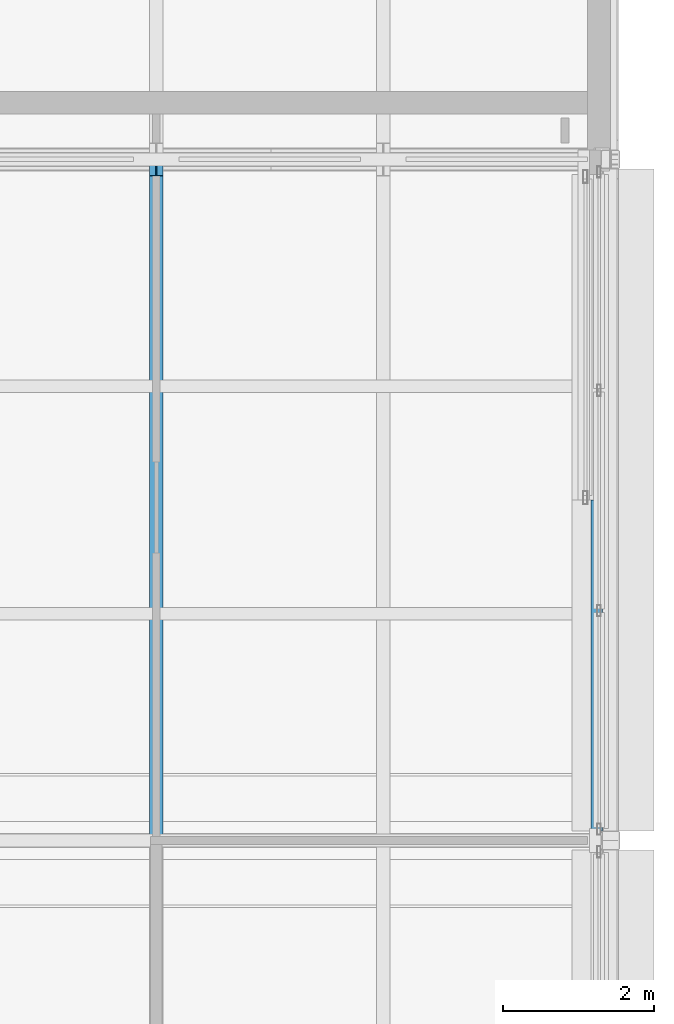
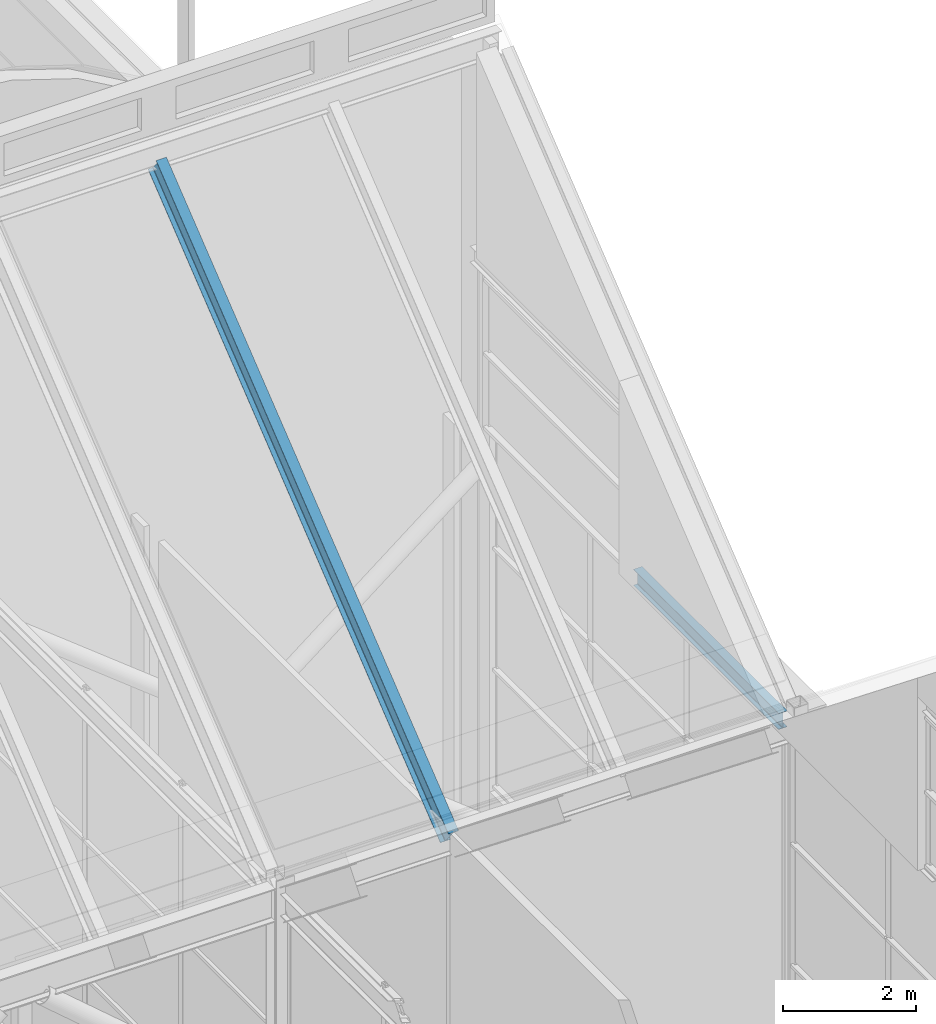
# One storey, part 84 of 144: 1 beam, 1 member.
"""IFC4 building model written with IfcOpenShell, lengths in metres."""

from ifc_helpers import new_model, si_unit, direction, frame, origin, origin_2d, place, context, subcontext, project, spatial, i_section, extrude, material, material_profile, profile_set, type_object, element, save


model = new_model("IFC4")

# Units and contexts
model_context = context("Model", 3, precision=1e-05, world=origin(), true_north=direction((0.0, 1.0)))
body_context = subcontext(model_context, "Body", "Model", "MODEL_VIEW")
ifc_project = project(units=[si_unit("LENGTHUNIT", "METRE"), si_unit("AREAUNIT", "SQUARE_METRE"), si_unit("VOLUMEUNIT", "CUBIC_METRE"), si_unit("PLANEANGLEUNIT", "RADIAN"), si_unit("MASSUNIT", "GRAM", prefix="KILO")], contexts=[model_context])

# Site, building, storey
site_placement = place(None, origin())
site = spatial("IfcSite", under=ifc_project, at=site_placement, CompositionType="ELEMENT")
building_placement = place(site_placement, origin())
building = spatial("IfcBuilding", under=site, at=building_placement, Name="Shorebreak Coast Museum", CompositionType="ELEMENT")
storey_placement = place(building_placement, frame((0.0, 0.0, 36.0)))
storey = spatial("IfcBuildingStorey", under=building, at=storey_placement, Name="L06", CompositionType="ELEMENT", Elevation=36.0)

# Member
ifc_material_1 = material(Name="Steel Grade 300", Category="steel")
ifc_material_profile_1 = material_profile(ifc_material_1, i_section(OverallWidth=0.177978515625, OverallDepth=0.402587890625, WebThickness=0.007568359375, FlangeThickness=0.010986328125, FilletRadius=0.011474609375, at=origin_2d()), Name="410UB53.7")
ifc_profile_set_1 = profile_set([ifc_material_profile_1], Name="Steel Grade 300")
member_type = type_object("IfcMemberType", Name="Fold rafter 410UB53.7", PredefinedType="RAFTER", material=ifc_profile_set_1)
member_placement = place(storey_placement, frame((111.0, 80.905029296875, 14.610107421875), z_axis=(0.0, -0.780866698312, -0.624697686459), x_axis=(1.0, 0.0, 0.0)))
element("IfcMember", 1, at=member_placement, inside=storey, type_object=member_type, Name="Fold rafter FOLD-X line 3 20", PredefinedType="RAFTER", context=body_context, shape_type="SweptSolid", body=[
    extrude(i_section(OverallWidth=0.177978515625, OverallDepth=0.402587890625, WebThickness=0.007568359375, FlangeThickness=0.010986328125, FilletRadius=0.011474609375, at=origin_2d()), origin(), (0.0, 0.0, 1.0), 11.282470703125),
])

# Beam
ifc_material_2 = material(Name="Steel Grade 300", Category="steel")
ifc_material_profile_2 = material_profile(ifc_material_2, i_section(OverallWidth=0.14892578125, OverallDepth=0.298095703125, WebThickness=0.005615234375, FlangeThickness=0.008056640625, FilletRadius=0.012939453125, at=origin_2d()), Name="310UB32.0")
ifc_profile_set_2 = profile_set([ifc_material_profile_2], Name="Steel Grade 300")
beam_type = type_object("IfcBeamType", Name="Gable base beam 310UB32.0", PredefinedType="BEAM", material=ifc_profile_set_2)
beam_placement = place(storey_placement, frame((116.820068359375, 72.125, 7.65087890625), z_axis=(0.0, 1.0, 0.0), x_axis=(-1.0, 0.0, 0.0)))
element("IfcBeam", 2, at=beam_placement, inside=storey, type_object=beam_type, Name="Gable base beam FOLD-X x 117 part 2", PredefinedType="BEAM", context=body_context, shape_type="SweptSolid", body=[
    extrude(i_section(OverallWidth=0.14892578125, OverallDepth=0.298095703125, WebThickness=0.005615234375, FlangeThickness=0.008056640625, FilletRadius=0.012939453125, at=origin_2d()), origin(), (0.0, 0.0, 1.0), 4.375),
])

save(model, "model.ifc")
